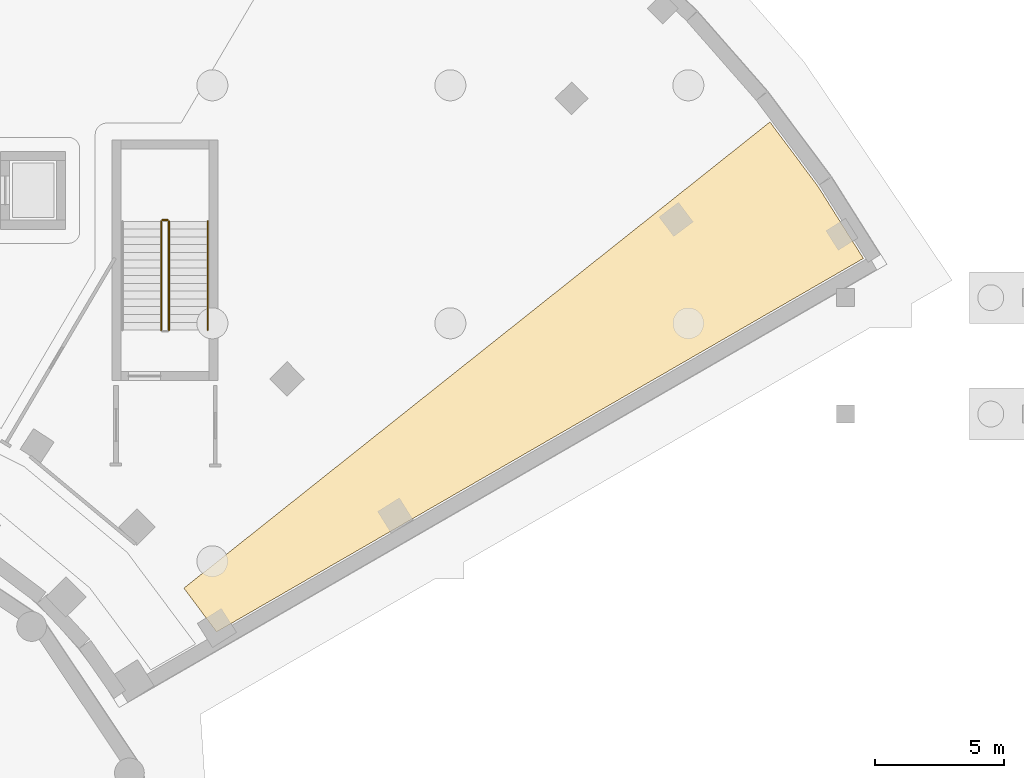
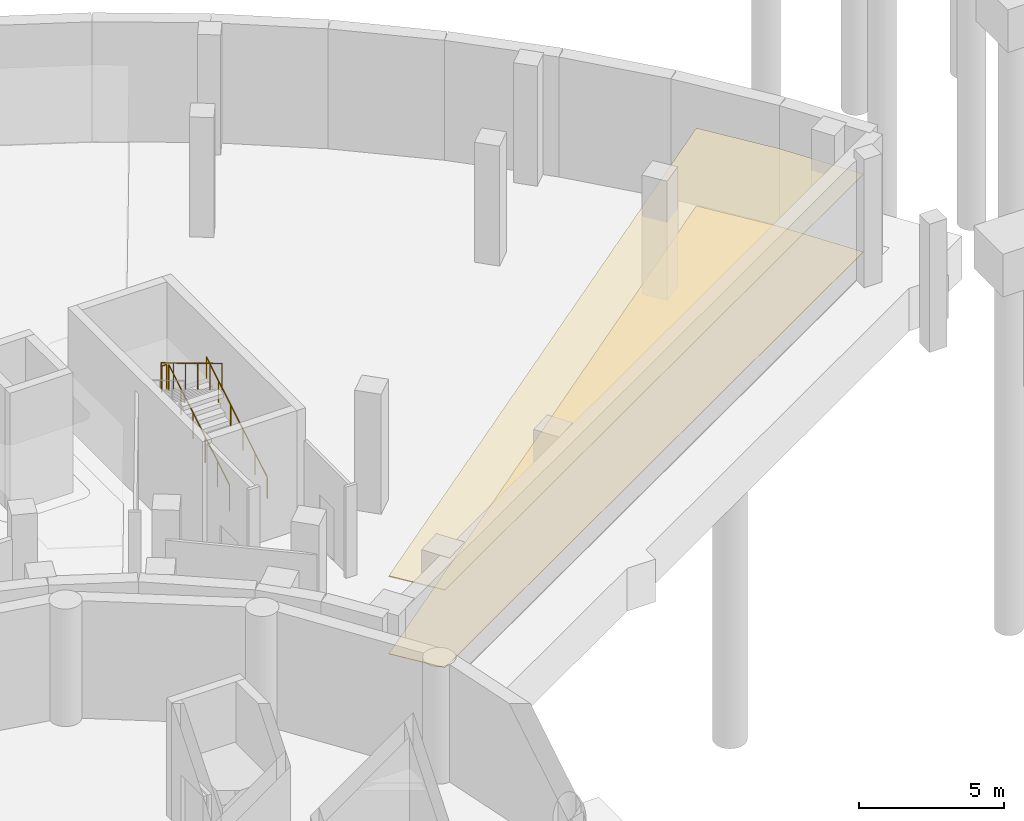
# One storey, part 30 of 33: 4 railings, 2 coverings.
"""IFC4 building model written with IfcOpenShell, lengths in metres."""

import ifcopenshell
import ifcopenshell.guid

model = None  # the IFC model being written
_history = None  # IfcOwnerHistory: only IFC2X3 demands one
_inside = {}  # id of a spatial element -> (the spatial element, [elements in it])
_under = {}  # id of a project, library or spatial element -> (it, [spatial elements below it])
_declared = {}  # id of a project -> (the project, [libraries it declares])
_typed = {}  # id of a type object -> (the type object, [elements of that type])
_made_of = {}  # id of a material, layer set ... -> (it, [elements and type objects made of it])


def new_model(schema):
    """Start an empty IFC model of exactly this schema.

    Asked for "IFC4X3", IfcOpenShell would pick the latest addendum, in which some entities
    have other attributes; the version numbers below select the first issue.
    IFC2X3 requires an IfcOwnerHistory on every rooted entity: one is made here for all.
    """
    global model, _history
    if schema == "IFC4X3":
        model = ifcopenshell.file(schema_version=(4, 3, 0, 0))
    else:
        model = ifcopenshell.file(schema=schema)
    _inside.clear()
    _under.clear()
    _declared.clear()
    _typed.clear()
    _made_of.clear()
    _history = None
    if model.schema == "IFC2X3":
        org = make("IfcOrganization", Name="unknown")
        user = make(
            "IfcPersonAndOrganization",
            ThePerson=make("IfcPerson", FamilyName="unknown"),
            TheOrganization=org,
        )
        app = make(
            "IfcApplication",
            ApplicationDeveloper=org,
            Version="unknown",
            ApplicationFullName="unknown",
            ApplicationIdentifier="unknown",
        )
        _history = make(
            "IfcOwnerHistory",
            OwningUser=user,
            OwningApplication=app,
            ChangeAction="ADDED",
            CreationDate=0,
        )
    return model


def make(cls, **values):
    """One entity of the class cls with the attributes given. An attribute that is None is left unset."""
    return model.create_entity(
        cls, **{name: value for name, value in values.items() if value is not None}
    )


def rooted(cls, **values):
    """An entity with a GlobalId (a new one), such as an element, a storey or a relation."""
    return make(cls, GlobalId=ifcopenshell.guid.new(), OwnerHistory=_history, **values)


def si_unit(unit_type, name, prefix=None):
    """IfcSIUnit, for example si_unit("LENGTHUNIT", "METRE", prefix="MILLI")."""
    return make("IfcSIUnit", UnitType=unit_type, Prefix=prefix, Name=name)


def assignment(units):
    """IfcUnitAssignment: the units of a project."""
    return None if units is None else make("IfcUnitAssignment", Units=units)


def point(xyz):
    """IfcCartesianPoint."""
    return None if xyz is None else make("IfcCartesianPoint", Coordinates=xyz)


def direction(xyz):
    """IfcDirection."""
    return None if xyz is None else make("IfcDirection", DirectionRatios=xyz)


def frame(location, z_axis=None, x_axis=None):
    """IfcAxis2Placement3D, a coordinate frame: its origin and axes. An axis left out is left unset."""
    return make(
        "IfcAxis2Placement3D",
        Location=point(location),
        Axis=direction(z_axis),
        RefDirection=direction(x_axis),
    )


def frame_2d(location, x_axis=None):
    """IfcAxis2Placement2D, a coordinate frame in the plane: its origin and x axis."""
    return make(
        "IfcAxis2Placement2D", Location=point(location), RefDirection=direction(x_axis)
    )


def origin():
    """The frame at (0, 0, 0) with its axes left unset."""
    return frame((0.0, 0.0, 0.0))


def origin_2d():
    """The frame at (0, 0) in the plane with its x axis left unset."""
    return frame_2d((0.0, 0.0))


def place(relative_to, where):
    """IfcLocalPlacement: puts the frame where relative to a parent placement (None: the world)."""
    return make(
        "IfcLocalPlacement", PlacementRelTo=relative_to, RelativePlacement=where
    )


def context(
    kind, dimensions, precision=None, world=None, true_north=None, identifier=None
):
    """IfcGeometricRepresentationContext, for example the 3D "Model" context."""
    return make(
        "IfcGeometricRepresentationContext",
        ContextIdentifier=identifier,
        ContextType=kind,
        CoordinateSpaceDimension=dimensions,
        Precision=precision,
        WorldCoordinateSystem=world,
        TrueNorth=true_north,
    )


def subcontext(parent, identifier, kind, view, scale=None):
    """IfcGeometricRepresentationSubContext, for example "Body" below "Model"."""
    return make(
        "IfcGeometricRepresentationSubContext",
        ContextIdentifier=identifier,
        ContextType=kind,
        ParentContext=parent,
        TargetScale=scale,
        TargetView=view,
    )


def project(units=None, contexts=None):
    """IfcProject with its units and contexts."""
    return rooted(
        "IfcProject",
        Name="project",
        RepresentationContexts=contexts,
        UnitsInContext=assignment(units),
    )


def spatial(cls, under=None, at=None, **own):
    """A site, building, storey or space (cls), placed at a placement, below another one or the project."""
    s = rooted(cls, ObjectPlacement=at, **own)
    if under is not None:
        _under.setdefault(under.id(), (under, []))[1].append(s)
    return s


def polyline(points):
    """IfcPolyline through the points."""
    return make("IfcPolyline", Points=[point(p) for p in points])


def profile(cls, at=None, kind="AREA", **sizes):
    """A parametric profile (cls). Its sizes go by their IFC names, for example OverallWidth=200.0."""
    return make(cls, ProfileType=kind, Position=at, **sizes)


def circle(**sizes):
    """IfcCircleProfileDef."""
    return profile("IfcCircleProfileDef", **sizes)


def outline(outer, holes=None, kind="AREA"):
    """IfcArbitraryClosedProfileDef: a profile drawn as a closed curve; with holes, ...WithVoids."""
    if holes is None:
        return make("IfcArbitraryClosedProfileDef", ProfileType=kind, OuterCurve=outer)
    return make(
        "IfcArbitraryProfileDefWithVoids",
        ProfileType=kind,
        OuterCurve=outer,
        InnerCurves=holes,
    )


def extrude(swept, where, along, depth):
    """IfcExtrudedAreaSolid: the profile swept, set in the frame where, extruded along a direction by depth."""
    return make(
        "IfcExtrudedAreaSolid",
        SweptArea=swept,
        Position=where,
        ExtrudedDirection=direction(along),
        Depth=depth,
    )


def shape(context_of_items, identifier, shape_type, items):
    """IfcShapeRepresentation: the items that make up one representation, for example the "Body"."""
    return make(
        "IfcShapeRepresentation",
        ContextOfItems=context_of_items,
        RepresentationIdentifier=identifier,
        RepresentationType=shape_type,
        Items=items,
    )


def material(Name=None, Category=None):
    """IfcMaterial."""
    return make("IfcMaterial", Name=Name, Category=Category)


def layer(
    of_material, thickness, ventilated=None, Name=None, Category=None, Priority=None
):
    """IfcMaterialLayer: one layer of a wall or slab, of a material (None: an air gap)."""
    return make(
        "IfcMaterialLayer",
        Material=of_material,
        LayerThickness=thickness,
        IsVentilated=ventilated,
        Name=Name,
        Category=Category,
        Priority=Priority,
    )


def layer_set(layers, Name=None):
    """IfcMaterialLayerSet."""
    return make("IfcMaterialLayerSet", MaterialLayers=layers, LayerSetName=Name)


def made_of(thing, what):
    """Note that an element or type object is made of a material, layer set ...; save() writes the relation."""
    if what is not None:
        _made_of.setdefault(what.id(), (what, []))[1].append(thing)
    return thing


def type_object(cls, material=None, **own):
    """A type object (cls), such as IfcWallType, which elements share."""
    return made_of(rooted(cls, **own), material)


def element(
    cls,
    number,
    at=None,
    inside=None,
    cuts=None,
    type_object=None,
    material=None,
    context=None,
    identifier="Body",
    shape_type=None,
    held_by="IfcProductDefinitionShape",
    body=None,
    shapes=None,
    **own,
):
    """One element of the class cls, such as IfcWall. Its Tag is "e" and its number.

    at: its placement. inside: the storey or other place that contains it. cuts: it is an
    opening in that element (IfcRelVoidsElement). A single representation is given by context,
    identifier, shape_type and body (its items); several are given by shapes. held_by: the class
    of the entity that holds the representations. save() writes the other relations.
    """
    e = rooted(cls, Tag="e%d" % number, ObjectPlacement=at, **own)
    if body is not None:
        shapes = [shape(context, identifier, shape_type, body)]
    if shapes is not None:
        e.Representation = make(held_by, Representations=shapes)
    if inside is not None:
        _inside.setdefault(inside.id(), (inside, []))[1].append(e)
    if cuts is not None:
        rooted(
            "IfcRelVoidsElement", RelatingBuildingElement=cuts, RelatedOpeningElement=e
        )
    if type_object is not None:
        _typed.setdefault(type_object.id(), (type_object, []))[1].append(e)
    return made_of(e, material)


def aggregate(whole, parts):
    """IfcRelAggregates: a whole, such as a stair, and the parts it consists of."""
    return rooted("IfcRelAggregates", RelatingObject=whole, RelatedObjects=parts)


def save(model, path):
    """Write the relations noted so far, then the file.

    IfcRelAggregates (storeys below a building ...), IfcRelContainedInSpatialStructure (elements
    in a storey), IfcRelDefinesByType, IfcRelAssociatesMaterial and IfcRelDeclares: one each for
    every whole, place, type object, material and project.
    """
    for whole, parts in _under.values():
        aggregate(whole, parts)
    for where, things in _inside.values():
        rooted(
            "IfcRelContainedInSpatialStructure",
            RelatedElements=things,
            RelatingStructure=where,
        )
    for kind, things in _typed.values():
        rooted("IfcRelDefinesByType", RelatedObjects=things, RelatingType=kind)
    for what, things in _made_of.values():
        rooted("IfcRelAssociatesMaterial", RelatedObjects=things, RelatingMaterial=what)
    for by, libraries in _declared.values():
        rooted("IfcRelDeclares", RelatingContext=by, RelatedDefinitions=libraries)
    model.write(path)


model = new_model("IFC4")

# Units and contexts
model_context = context("Model", 3, precision=1e-05, world=origin(), true_north=direction((0.0, 1.0)))
body_context = subcontext(model_context, "Body", "Model", "MODEL_VIEW")
ifc_project = project(units=[si_unit("LENGTHUNIT", "METRE"), si_unit("AREAUNIT", "SQUARE_METRE"), si_unit("VOLUMEUNIT", "CUBIC_METRE"), si_unit("PLANEANGLEUNIT", "RADIAN"), si_unit("MASSUNIT", "GRAM", prefix="KILO")], contexts=[model_context])

# Site, building, storey
site_placement = place(None, origin())
site = spatial("IfcSite", under=ifc_project, at=site_placement, CompositionType="ELEMENT")
building_placement = place(site_placement, origin())
building = spatial("IfcBuilding", under=site, at=building_placement, Name="Soyqirgoq Riverine Aquarium", CompositionType="ELEMENT")
storey_placement = place(building_placement, frame((0.0, 0.0, -5.39990234375)))
storey = spatial("IfcBuildingStorey", under=building, at=storey_placement, Name="B01", CompositionType="ELEMENT", Elevation=-5.39990234375)

# Coverings
ifc_material_1 = material(Name="Seamless slip-resistant marine epoxy flooring", Category="concrete")
ifc_layer_1 = layer(ifc_material_1, 0.02001953125)
ifc_layer_set_1 = layer_set([ifc_layer_1], Name="Seamless slip-resistant marine epoxy flooring")
covering_type_1 = type_object("IfcCoveringType", Name="EpoxyWetFloorFinish_20", PredefinedType="FLOORING", material=ifc_layer_set_1)
covering_1_placement = place(storey_placement, origin())
element("IfcCovering", 1, at=covering_1_placement, inside=storey, type_object=covering_type_1, Name="Pelagic Chiller Plant Floor Finish", PredefinedType="FLOORING", context=body_context, shape_type="SweptSolid", body=[
    extrude(outline(polyline([(98.72998046875, 86.367919921875), (100.4970703125, 83.568115234375), (75.489990234375, 69.1298828125), (74.22705078125, 70.821044921875), (96.883056640625, 88.842041015625), (98.72998046875, 86.367919921875)])), origin(), (0.0, 0.0, 1.0), 0.02001953125),
])
ifc_material_2 = material(Name="Anodised aluminium marine moisture-resistant ceiling", Category="aluminium")
ifc_layer_2 = layer(ifc_material_2, 0.0400390625)
ifc_layer_set_2 = layer_set([ifc_layer_2], Name="Anodised aluminium marine moisture-resistant ceiling")
covering_type_2 = type_object("IfcCoveringType", Name="MoistureCeiling_40", PredefinedType="CEILING", material=ifc_layer_set_2)
covering_2_placement = place(storey_placement, frame((0.0, 0.0, 3.260009765625)))
element("IfcCovering", 2, at=covering_2_placement, inside=storey, type_object=covering_type_2, Name="Pelagic Chiller Plant Suspended Ceiling", PredefinedType="CEILING", context=body_context, shape_type="SweptSolid", body=[
    extrude(outline(polyline([(98.72998046875, 86.367919921875), (100.4970703125, 83.568115234375), (75.489990234375, 69.1298828125), (74.22705078125, 70.821044921875), (96.883056640625, 88.842041015625), (98.72998046875, 86.367919921875)])), origin(), (0.0, 0.0, 1.0), 0.039794921875),
])

# Railings
ifc_material_3 = material(Name="Brushed stainless steel 316L tubular handrail", Category="steel")
railing_type_1 = type_object("IfcRailingType", Name="StairPitchHandrail_920", PredefinedType="HANDRAIL", material=ifc_material_3)
railing_1_placement = place(storey_placement, frame((75.14990234375, 80.800048828125, 0.179931640625)))
element("IfcRailing", 3, at=railing_1_placement, inside=storey, type_object=railing_type_1, Name="B01 ST-6 stair handrail 1", PredefinedType="HANDRAIL", context=body_context, shape_type="SweptSolid", body=[
    extrude(circle(Radius=0.02392578125, at=origin_2d()), frame((0.0, 0.0, 0.89990234375), z_axis=(0.0, 0.857488527567, 0.514503085598), x_axis=(-1.0, 0.0, 0.0)), (0.0, 0.0, 1.0), 4.89794921875),
    extrude(circle(Radius=0.02099609375, at=origin_2d()), origin(), (0.0, 0.0, 1.0), 0.875732421875),
    extrude(circle(Radius=0.02099609375, at=origin_2d()), frame((0.0, 0.840087890625, 0.50390625)), (0.0, 0.0, 1.0), 0.875732421875),
    extrude(circle(Radius=0.02099609375, at=origin_2d()), frame((0.0, 1.679931640625, 1.008056640625)), (0.0, 0.0, 1.0), 0.875732421875),
    extrude(circle(Radius=0.02099609375, at=origin_2d()), frame((0.0, 2.52001953125, 1.511962890625)), (0.0, 0.0, 1.0), 0.875732421875),
    extrude(circle(Radius=0.02099609375, at=origin_2d()), frame((0.0, 3.35986328125, 2.01611328125)), (0.0, 0.0, 1.0), 0.875732421875),
    extrude(circle(Radius=0.02099609375, at=origin_2d()), frame((0.0, 4.199951171875, 2.52001953125)), (0.0, 0.0, 1.0), 0.875732421875),
])
ifc_material_4 = material(Name="Painted steel infill stair-well guardrail", Category="steel")
railing_type_2 = type_object("IfcRailingType", Name="StairWellGuard_1120", PredefinedType="GUARDRAIL", material=ifc_material_4)
railing_2_placement = place(storey_placement, frame((73.64990234375, 80.800048828125, 0.179931640625)))
element("IfcRailing", 4, at=railing_2_placement, inside=storey, type_object=railing_type_2, Name="B01 ST-6 stair guard 1", PredefinedType="GUARDRAIL", context=body_context, shape_type="SweptSolid", body=[
    extrude(circle(Radius=0.02392578125, at=origin_2d()), frame((0.0, 0.0, 1.09619140625), z_axis=(0.0, 0.857488527567, 0.514503085598), x_axis=(-1.0, 0.0, 0.0)), (0.0, 0.0, 1.0), 4.89794921875),
    extrude(circle(Radius=0.02099609375, at=origin_2d()), origin(), (0.0, 0.0, 1.0), 1.072021484375),
    extrude(circle(Radius=0.02099609375, at=origin_2d()), frame((0.0, 0.840087890625, 0.50390625)), (0.0, 0.0, 1.0), 1.072021484375),
    extrude(circle(Radius=0.02099609375, at=origin_2d()), frame((0.0, 1.679931640625, 1.008056640625)), (0.0, 0.0, 1.0), 1.072021484375),
    extrude(circle(Radius=0.02099609375, at=origin_2d()), frame((0.0, 2.52001953125, 1.511962890625)), (0.0, 0.0, 1.0), 1.072021484375),
    extrude(circle(Radius=0.02099609375, at=origin_2d()), frame((0.0, 3.35986328125, 2.01611328125)), (0.0, 0.0, 1.0), 1.072021484375),
    extrude(circle(Radius=0.02099609375, at=origin_2d()), frame((0.0, 4.199951171875, 2.52001953125)), (0.0, 0.0, 1.0), 1.072021484375),
])
railing_3_placement = place(storey_placement, frame((73.60009765625, 85.050048828125, 2.699951171875)))
element("IfcRailing", 5, at=railing_3_placement, inside=storey, type_object=railing_type_2, Name="B01 ST-6 stair guard 2", PredefinedType="GUARDRAIL", context=body_context, shape_type="SweptSolid", body=[
    extrude(circle(Radius=0.02392578125, at=origin_2d()), frame((0.0, 0.0, 1.09619140625), z_axis=(-1.0, 0.0, 0.0), x_axis=(0.0, -1.0, 0.0)), (0.0, 0.0, 1.0), 0.2001953125),
    extrude(circle(Radius=0.02099609375, at=origin_2d()), origin(), (0.0, 0.0, 1.0), 1.072021484375),
    extrude(circle(Radius=0.02099609375, at=origin_2d()), frame((-0.2001953125, 0.0, 0.0)), (0.0, 0.0, 1.0), 1.072021484375),
])
railing_4_placement = place(storey_placement, frame((73.35009765625, 85.0, 2.8798828125)))
element("IfcRailing", 6, at=railing_4_placement, inside=storey, type_object=railing_type_2, Name="B01 ST-6 stair guard 3", PredefinedType="GUARDRAIL", context=body_context, shape_type="SweptSolid", body=[
    extrude(circle(Radius=0.02392578125, at=origin_2d()), frame((0.0, 0.0, 1.09619140625), z_axis=(0.0, -0.857488527567, 0.514503085598), x_axis=(1.0, 0.0, 0.0)), (0.0, 0.0, 1.0), 4.89794921875),
    extrude(circle(Radius=0.02099609375, at=origin_2d()), origin(), (0.0, 0.0, 1.0), 1.072021484375),
    extrude(circle(Radius=0.02099609375, at=origin_2d()), frame((0.0, -0.840087890625, 0.50390625)), (0.0, 0.0, 1.0), 1.072021484375),
    extrude(circle(Radius=0.02099609375, at=origin_2d()), frame((0.0, -1.679931640625, 1.008056640625)), (0.0, 0.0, 1.0), 1.072021484375),
    extrude(circle(Radius=0.02099609375, at=origin_2d()), frame((0.0, -2.52001953125, 1.511962890625)), (0.0, 0.0, 1.0), 1.072021484375),
    extrude(circle(Radius=0.02099609375, at=origin_2d()), frame((0.0, -3.35986328125, 2.01611328125)), (0.0, 0.0, 1.0), 1.072021484375),
    extrude(circle(Radius=0.02099609375, at=origin_2d()), frame((0.0, -4.199951171875, 2.52001953125)), (0.0, 0.0, 1.0), 1.072021484375),
])

save(model, "model.ifc")
